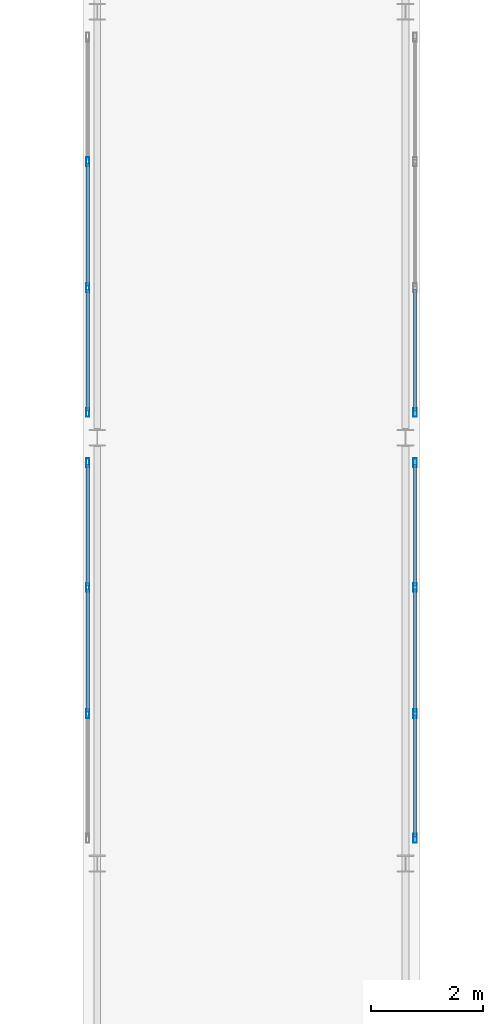
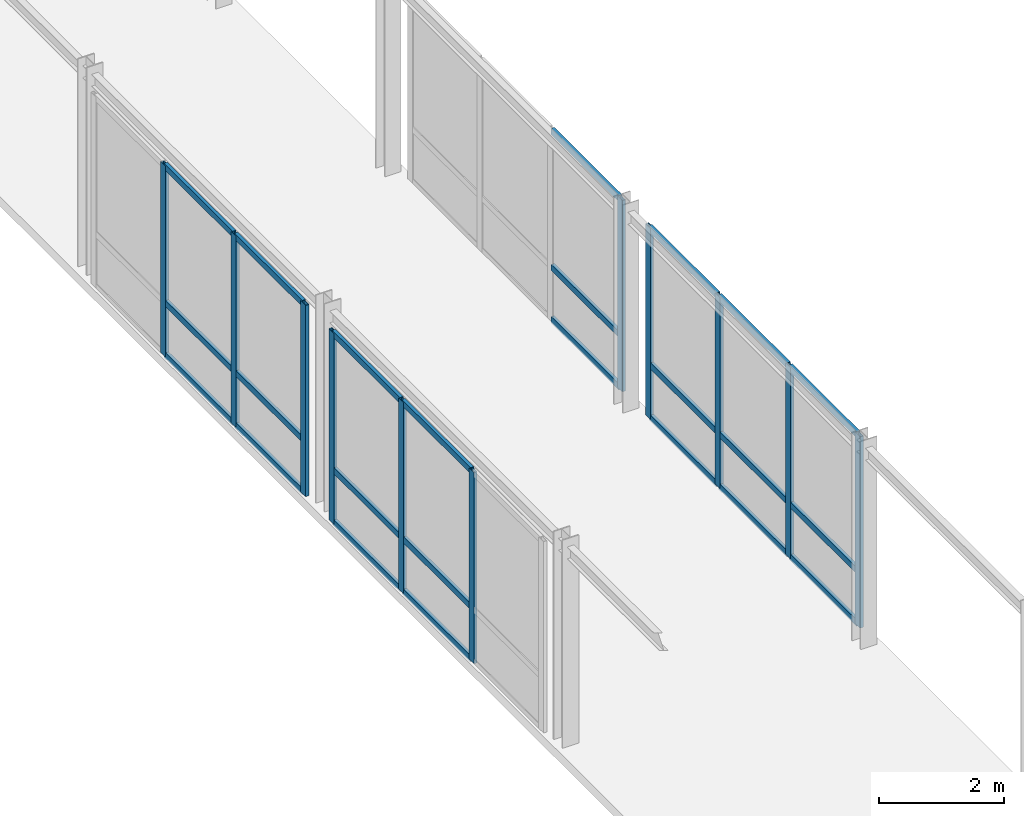
# One storey, part 108 of 165: 35 members, 4 elements without a shape of their own.
"""IFC4 building model written with IfcOpenShell, lengths in metres."""

from ifc_helpers import new_model, si_unit, direction, frame, origin, origin_2d, place, context, subcontext, project, spatial, hollow_rectangle, extrude, material, layer, layer_set, material_profile, profile_set, type_object, element, aggregate, save


model = new_model("IFC4")

# Units and contexts
model_context = context("Model", 3, precision=1e-05, world=origin(), true_north=direction((0.0, 1.0)))
body_context = subcontext(model_context, "Body", "Model", "MODEL_VIEW")
ifc_project = project(units=[si_unit("LENGTHUNIT", "METRE"), si_unit("AREAUNIT", "SQUARE_METRE"), si_unit("VOLUMEUNIT", "CUBIC_METRE"), si_unit("PLANEANGLEUNIT", "RADIAN"), si_unit("MASSUNIT", "GRAM", prefix="KILO")], contexts=[model_context])

# Site, building, storey
site_placement = place(None, origin())
site = spatial("IfcSite", under=ifc_project, at=site_placement, CompositionType="ELEMENT")
building_placement = place(site_placement, origin())
building = spatial("IfcBuilding", under=site, at=building_placement, Name="Montecoro Central Library", CompositionType="ELEMENT")
storey_placement = place(building_placement, frame((0.0, 0.0, 5.10009765625)))
storey = spatial("IfcBuildingStorey", under=building, at=storey_placement, Name="L01", CompositionType="ELEMENT", Elevation=5.10009765625)

# Curtain wall, members
ifc_material_1 = material(Name="Bronze-anodised aluminium and low-E glazing", Category="aluminium")
ifc_layer_1 = layer(ifc_material_1, 0.159912109375)
ifc_layer_set_1 = layer_set([ifc_layer_1], Name="Bronze-anodised aluminium and low-E glazing")
curtain_wall_type_1 = type_object("IfcCurtainWallType", Name="CWT-083", PredefinedType="NOTDEFINED", material=ifc_layer_set_1)
curtain_wall_1_placement = place(storey_placement, origin())
curtain_wall_1 = element("IfcCurtainWall", 1, at=curtain_wall_1_placement, inside=storey, type_object=curtain_wall_type_1, Name="BR-E-L01-CW-W1", PredefinedType="NOTDEFINED")
ifc_material_2 = material(Name="Bronze-anodised aluminium", Category="aluminium")
ifc_material_profile_1 = material_profile(ifc_material_2, hollow_rectangle(XDim=0.06005859375, YDim=0.159912109375, WallThickness=0.00390625, at=origin_2d()), Name="CWM 160x60x4.0")
ifc_profile_set_1 = profile_set([ifc_material_profile_1], Name="Bronze-anodised aluminium")
member_type_1 = type_object("IfcMemberType", Name="CWM-BRZ-60", PredefinedType="MULLION", material=ifc_profile_set_1)
member_1_placement = place(storey_placement, frame((154.080078125, 53.2734375, 0.0), z_axis=(0.0, 0.0, 1.0), x_axis=(-1.0, 0.0, 0.0)))
member_1 = element("IfcMember", 2, at=member_1_placement, type_object=member_type_1, Name="CW-083 mullion 2", PredefinedType="MULLION", context=body_context, shape_type="SweptSolid", body=[
    extrude(hollow_rectangle(XDim=0.06005859375, YDim=0.159912109375, WallThickness=0.00390625, at=origin_2d()), origin(), (0.0, 0.0, 1.0), 3.72998046875),
])
member_2_placement = place(storey_placement, frame((154.080078125, 55.526611328125, 0.0), z_axis=(0.0, 0.0, 1.0), x_axis=(-1.0, 0.0, 0.0)))
member_2 = element("IfcMember", 3, at=member_2_placement, type_object=member_type_1, Name="CW-083 mullion 3", PredefinedType="MULLION", context=body_context, shape_type="SweptSolid", body=[
    extrude(hollow_rectangle(XDim=0.06005859375, YDim=0.159912109375, WallThickness=0.00390625, at=origin_2d()), origin(), (0.0, 0.0, 1.0), 3.72998046875),
])
member_3_placement = place(storey_placement, frame((154.080078125, 57.75, 0.0), z_axis=(0.0, 0.0, 1.0), x_axis=(-1.0, 0.0, 0.0)))
member_3 = element("IfcMember", 4, at=member_3_placement, type_object=member_type_1, Name="CW-083 mullion 4", PredefinedType="MULLION", context=body_context, shape_type="SweptSolid", body=[
    extrude(hollow_rectangle(XDim=0.06005859375, YDim=0.159912109375, WallThickness=0.00390625, at=origin_2d()), origin(), (0.0, 0.0, 1.0), 3.72998046875),
])

ifc_layer_2 = layer(ifc_material_1, 0.159912109375)
ifc_layer_set_2 = layer_set([ifc_layer_2], Name="Bronze-anodised aluminium and low-E glazing")
curtain_wall_type_2 = type_object("IfcCurtainWallType", Name="CWT-084", PredefinedType="NOTDEFINED", material=ifc_layer_set_2)
curtain_wall_2_placement = place(storey_placement, origin())
curtain_wall_2 = element("IfcCurtainWall", 5, at=curtain_wall_2_placement, inside=storey, type_object=curtain_wall_type_2, Name="BR-E-L01-CW-W2", PredefinedType="NOTDEFINED")
member_4_placement = place(storey_placement, frame((154.080078125, 58.64990234375, 0.0), z_axis=(0.0, 0.0, 1.0), x_axis=(-1.0, 0.0, 0.0)))
member_4 = element("IfcMember", 6, at=member_4_placement, type_object=member_type_1, Name="CW-084 mullion 1", PredefinedType="MULLION", context=body_context, shape_type="SweptSolid", body=[
    extrude(hollow_rectangle(XDim=0.06005859375, YDim=0.159912109375, WallThickness=0.00390625, at=origin_2d()), origin(), (0.0, 0.0, 1.0), 3.72998046875),
])
member_5_placement = place(storey_placement, frame((154.080078125, 60.873291015625, 0.0), z_axis=(0.0, 0.0, 1.0), x_axis=(-1.0, 0.0, 0.0)))
member_5 = element("IfcMember", 7, at=member_5_placement, type_object=member_type_1, Name="CW-084 mullion 2", PredefinedType="MULLION", context=body_context, shape_type="SweptSolid", body=[
    extrude(hollow_rectangle(XDim=0.06005859375, YDim=0.159912109375, WallThickness=0.00390625, at=origin_2d()), origin(), (0.0, 0.0, 1.0), 3.72998046875),
])
member_6_placement = place(storey_placement, frame((154.080078125, 63.126708984375, 0.0), z_axis=(0.0, 0.0, 1.0), x_axis=(-1.0, 0.0, 0.0)))
member_6 = element("IfcMember", 8, at=member_6_placement, type_object=member_type_1, Name="CW-084 mullion 3", PredefinedType="MULLION", context=body_context, shape_type="SweptSolid", body=[
    extrude(hollow_rectangle(XDim=0.06005859375, YDim=0.159912109375, WallThickness=0.00390625, at=origin_2d()), origin(), (0.0, 0.0, 1.0), 3.72998046875),
])

curtain_wall_3_placement = place(storey_placement, origin())
curtain_wall_3 = element("IfcCurtainWall", 9, at=curtain_wall_3_placement, inside=storey, type_object=curtain_wall_type_1, Name="BR-E-L01-CW-E1", PredefinedType="NOTDEFINED")
member_7_placement = place(storey_placement, frame((159.919921875, 51.050048828125, 0.0), z_axis=(0.0, 0.0, 1.0), x_axis=(-1.0, 0.0, 0.0)))
member_7 = element("IfcMember", 10, at=member_7_placement, type_object=member_type_1, Name="CW-083 mullion 1", PredefinedType="MULLION", context=body_context, shape_type="SweptSolid", body=[
    extrude(hollow_rectangle(XDim=0.06005859375, YDim=0.159912109375, WallThickness=0.00390625, at=origin_2d()), origin(), (0.0, 0.0, 1.0), 3.72998046875),
])
member_8_placement = place(storey_placement, frame((159.919921875, 53.2734375, 0.0), z_axis=(0.0, 0.0, 1.0), x_axis=(-1.0, 0.0, 0.0)))
member_8 = element("IfcMember", 11, at=member_8_placement, type_object=member_type_1, Name="CW-083 mullion 2", PredefinedType="MULLION", context=body_context, shape_type="SweptSolid", body=[
    extrude(hollow_rectangle(XDim=0.06005859375, YDim=0.159912109375, WallThickness=0.00390625, at=origin_2d()), origin(), (0.0, 0.0, 1.0), 3.72998046875),
])
member_9_placement = place(storey_placement, frame((159.919921875, 55.526611328125, 0.0), z_axis=(0.0, 0.0, 1.0), x_axis=(-1.0, 0.0, 0.0)))
member_9 = element("IfcMember", 12, at=member_9_placement, type_object=member_type_1, Name="CW-083 mullion 3", PredefinedType="MULLION", context=body_context, shape_type="SweptSolid", body=[
    extrude(hollow_rectangle(XDim=0.06005859375, YDim=0.159912109375, WallThickness=0.00390625, at=origin_2d()), origin(), (0.0, 0.0, 1.0), 3.72998046875),
])
member_10_placement = place(storey_placement, frame((159.919921875, 57.75, 0.0), z_axis=(0.0, 0.0, 1.0), x_axis=(-1.0, 0.0, 0.0)))
member_10 = element("IfcMember", 13, at=member_10_placement, type_object=member_type_1, Name="CW-083 mullion 4", PredefinedType="MULLION", context=body_context, shape_type="SweptSolid", body=[
    extrude(hollow_rectangle(XDim=0.06005859375, YDim=0.159912109375, WallThickness=0.00390625, at=origin_2d()), origin(), (0.0, 0.0, 1.0), 3.72998046875),
])

# Curtain wall, member
curtain_wall_4_placement = place(storey_placement, origin())
curtain_wall_4 = element("IfcCurtainWall", 14, at=curtain_wall_4_placement, inside=storey, type_object=curtain_wall_type_2, Name="BR-E-L01-CW-E2", PredefinedType="NOTDEFINED")
member_11_placement = place(storey_placement, frame((159.919921875, 58.64990234375, 0.0), z_axis=(0.0, 0.0, 1.0), x_axis=(-1.0, 0.0, 0.0)))
member_11 = element("IfcMember", 15, at=member_11_placement, type_object=member_type_1, Name="CW-084 mullion 1", PredefinedType="MULLION", context=body_context, shape_type="SweptSolid", body=[
    extrude(hollow_rectangle(XDim=0.06005859375, YDim=0.159912109375, WallThickness=0.00390625, at=origin_2d()), origin(), (0.0, 0.0, 1.0), 3.72998046875),
])

# Member
ifc_material_profile_2 = material_profile(ifc_material_2, hollow_rectangle(XDim=0.06005859375, YDim=0.1201171875, WallThickness=0.00390625, at=origin_2d()), Name="CWT 120x60x4.0")
ifc_profile_set_2 = profile_set([ifc_material_profile_2], Name="Bronze-anodised aluminium")
member_type_2 = type_object("IfcMemberType", Name="CWT-BRZ-60", PredefinedType="USERDEFINED", material=ifc_profile_set_2)
member_12_placement = place(storey_placement, frame((154.080078125, 53.30322265625, 0.02978515625), z_axis=(0.0, 1.0, 0.0), x_axis=(-1.0, 0.0, 0.0)))
member_12 = element("IfcMember", 16, at=member_12_placement, type_object=member_type_2, Name="CW-083 transom 2.1", ObjectType="TRANSOM", PredefinedType="USERDEFINED", context=body_context, shape_type="SweptSolid", body=[
    extrude(hollow_rectangle(XDim=0.06005859375, YDim=0.1201171875, WallThickness=0.00390625, at=origin_2d()), origin(), (0.0, 0.0, 1.0), 2.193359375),
])

member_13_placement = place(storey_placement, frame((154.080078125, 53.30322265625, 1.0498046875), z_axis=(0.0, 1.0, 0.0), x_axis=(-1.0, 0.0, 0.0)))
member_13 = element("IfcMember", 17, at=member_13_placement, type_object=member_type_2, Name="CW-083 transom 2.2", ObjectType="TRANSOM", PredefinedType="USERDEFINED", context=body_context, shape_type="SweptSolid", body=[
    extrude(hollow_rectangle(XDim=0.06005859375, YDim=0.1201171875, WallThickness=0.00390625, at=origin_2d()), origin(), (0.0, 0.0, 1.0), 2.193359375),
])

member_14_placement = place(storey_placement, frame((154.080078125, 53.30322265625, 3.699951171875), z_axis=(0.0, 1.0, 0.0), x_axis=(-1.0, 0.0, 0.0)))
member_14 = element("IfcMember", 18, at=member_14_placement, type_object=member_type_2, Name="CW-083 transom 2.3", ObjectType="TRANSOM", PredefinedType="USERDEFINED", context=body_context, shape_type="SweptSolid", body=[
    extrude(hollow_rectangle(XDim=0.06005859375, YDim=0.1201171875, WallThickness=0.00390625, at=origin_2d()), origin(), (0.0, 0.0, 1.0), 2.193359375),
])

member_15_placement = place(storey_placement, frame((154.080078125, 55.556640625, 0.02978515625), z_axis=(0.0, 1.0, 0.0), x_axis=(-1.0, 0.0, 0.0)))
member_15 = element("IfcMember", 19, at=member_15_placement, type_object=member_type_2, Name="CW-083 transom 3.1", ObjectType="TRANSOM", PredefinedType="USERDEFINED", context=body_context, shape_type="SweptSolid", body=[
    extrude(hollow_rectangle(XDim=0.06005859375, YDim=0.1201171875, WallThickness=0.00390625, at=origin_2d()), origin(), (0.0, 0.0, 1.0), 2.163330078125),
])

member_16_placement = place(storey_placement, frame((154.080078125, 55.556640625, 1.0498046875), z_axis=(0.0, 1.0, 0.0), x_axis=(-1.0, 0.0, 0.0)))
member_16 = element("IfcMember", 20, at=member_16_placement, type_object=member_type_2, Name="CW-083 transom 3.2", ObjectType="TRANSOM", PredefinedType="USERDEFINED", context=body_context, shape_type="SweptSolid", body=[
    extrude(hollow_rectangle(XDim=0.06005859375, YDim=0.1201171875, WallThickness=0.00390625, at=origin_2d()), origin(), (0.0, 0.0, 1.0), 2.163330078125),
])

member_17_placement = place(storey_placement, frame((154.080078125, 55.556640625, 3.699951171875), z_axis=(0.0, 1.0, 0.0), x_axis=(-1.0, 0.0, 0.0)))
member_17 = element("IfcMember", 21, at=member_17_placement, type_object=member_type_2, Name="CW-083 transom 3.3", ObjectType="TRANSOM", PredefinedType="USERDEFINED", context=body_context, shape_type="SweptSolid", body=[
    extrude(hollow_rectangle(XDim=0.06005859375, YDim=0.1201171875, WallThickness=0.00390625, at=origin_2d()), origin(), (0.0, 0.0, 1.0), 2.163330078125),
])

aggregate(curtain_wall_1, [member_1, member_2, member_3, member_12, member_13, member_14, member_15, member_16, member_17])

member_18_placement = place(storey_placement, frame((154.080078125, 58.679931640625, 0.02978515625), z_axis=(0.0, 1.0, 0.0), x_axis=(-1.0, 0.0, 0.0)))
member_18 = element("IfcMember", 22, at=member_18_placement, type_object=member_type_2, Name="CW-084 transom 1.1", ObjectType="TRANSOM", PredefinedType="USERDEFINED", context=body_context, shape_type="SweptSolid", body=[
    extrude(hollow_rectangle(XDim=0.06005859375, YDim=0.1201171875, WallThickness=0.00390625, at=origin_2d()), origin(), (0.0, 0.0, 1.0), 2.163330078125),
])

member_19_placement = place(storey_placement, frame((154.080078125, 58.679931640625, 1.0498046875), z_axis=(0.0, 1.0, 0.0), x_axis=(-1.0, 0.0, 0.0)))
member_19 = element("IfcMember", 23, at=member_19_placement, type_object=member_type_2, Name="CW-084 transom 1.2", ObjectType="TRANSOM", PredefinedType="USERDEFINED", context=body_context, shape_type="SweptSolid", body=[
    extrude(hollow_rectangle(XDim=0.06005859375, YDim=0.1201171875, WallThickness=0.00390625, at=origin_2d()), origin(), (0.0, 0.0, 1.0), 2.163330078125),
])

member_20_placement = place(storey_placement, frame((154.080078125, 58.679931640625, 3.699951171875), z_axis=(0.0, 1.0, 0.0), x_axis=(-1.0, 0.0, 0.0)))
member_20 = element("IfcMember", 24, at=member_20_placement, type_object=member_type_2, Name="CW-084 transom 1.3", ObjectType="TRANSOM", PredefinedType="USERDEFINED", context=body_context, shape_type="SweptSolid", body=[
    extrude(hollow_rectangle(XDim=0.06005859375, YDim=0.1201171875, WallThickness=0.00390625, at=origin_2d()), origin(), (0.0, 0.0, 1.0), 2.163330078125),
])

member_21_placement = place(storey_placement, frame((154.080078125, 60.9033203125, 0.02978515625), z_axis=(0.0, 1.0, 0.0), x_axis=(-1.0, 0.0, 0.0)))
member_21 = element("IfcMember", 25, at=member_21_placement, type_object=member_type_2, Name="CW-084 transom 2.1", ObjectType="TRANSOM", PredefinedType="USERDEFINED", context=body_context, shape_type="SweptSolid", body=[
    extrude(hollow_rectangle(XDim=0.06005859375, YDim=0.1201171875, WallThickness=0.00390625, at=origin_2d()), origin(), (0.0, 0.0, 1.0), 2.193359375),
])

member_22_placement = place(storey_placement, frame((154.080078125, 60.9033203125, 1.0498046875), z_axis=(0.0, 1.0, 0.0), x_axis=(-1.0, 0.0, 0.0)))
member_22 = element("IfcMember", 26, at=member_22_placement, type_object=member_type_2, Name="CW-084 transom 2.2", ObjectType="TRANSOM", PredefinedType="USERDEFINED", context=body_context, shape_type="SweptSolid", body=[
    extrude(hollow_rectangle(XDim=0.06005859375, YDim=0.1201171875, WallThickness=0.00390625, at=origin_2d()), origin(), (0.0, 0.0, 1.0), 2.193359375),
])

member_23_placement = place(storey_placement, frame((154.080078125, 60.9033203125, 3.699951171875), z_axis=(0.0, 1.0, 0.0), x_axis=(-1.0, 0.0, 0.0)))
member_23 = element("IfcMember", 27, at=member_23_placement, type_object=member_type_2, Name="CW-084 transom 2.3", ObjectType="TRANSOM", PredefinedType="USERDEFINED", context=body_context, shape_type="SweptSolid", body=[
    extrude(hollow_rectangle(XDim=0.06005859375, YDim=0.1201171875, WallThickness=0.00390625, at=origin_2d()), origin(), (0.0, 0.0, 1.0), 2.193359375),
])

aggregate(curtain_wall_2, [member_4, member_5, member_6, member_18, member_19, member_20, member_21, member_22, member_23])

member_24_placement = place(storey_placement, frame((159.919921875, 51.080078125, 0.02978515625), z_axis=(0.0, 1.0, 0.0), x_axis=(-1.0, 0.0, 0.0)))
member_24 = element("IfcMember", 28, at=member_24_placement, type_object=member_type_2, Name="CW-083 transom 1.1", ObjectType="TRANSOM", PredefinedType="USERDEFINED", context=body_context, shape_type="SweptSolid", body=[
    extrude(hollow_rectangle(XDim=0.06005859375, YDim=0.1201171875, WallThickness=0.00390625, at=origin_2d()), origin(), (0.0, 0.0, 1.0), 2.163330078125),
])

member_25_placement = place(storey_placement, frame((159.919921875, 51.080078125, 1.0498046875), z_axis=(0.0, 1.0, 0.0), x_axis=(-1.0, 0.0, 0.0)))
member_25 = element("IfcMember", 29, at=member_25_placement, type_object=member_type_2, Name="CW-083 transom 1.2", ObjectType="TRANSOM", PredefinedType="USERDEFINED", context=body_context, shape_type="SweptSolid", body=[
    extrude(hollow_rectangle(XDim=0.06005859375, YDim=0.1201171875, WallThickness=0.00390625, at=origin_2d()), origin(), (0.0, 0.0, 1.0), 2.163330078125),
])

member_26_placement = place(storey_placement, frame((159.919921875, 51.080078125, 3.699951171875), z_axis=(0.0, 1.0, 0.0), x_axis=(-1.0, 0.0, 0.0)))
member_26 = element("IfcMember", 30, at=member_26_placement, type_object=member_type_2, Name="CW-083 transom 1.3", ObjectType="TRANSOM", PredefinedType="USERDEFINED", context=body_context, shape_type="SweptSolid", body=[
    extrude(hollow_rectangle(XDim=0.06005859375, YDim=0.1201171875, WallThickness=0.00390625, at=origin_2d()), origin(), (0.0, 0.0, 1.0), 2.163330078125),
])

member_27_placement = place(storey_placement, frame((159.919921875, 53.30322265625, 0.02978515625), z_axis=(0.0, 1.0, 0.0), x_axis=(-1.0, 0.0, 0.0)))
member_27 = element("IfcMember", 31, at=member_27_placement, type_object=member_type_2, Name="CW-083 transom 2.1", ObjectType="TRANSOM", PredefinedType="USERDEFINED", context=body_context, shape_type="SweptSolid", body=[
    extrude(hollow_rectangle(XDim=0.06005859375, YDim=0.1201171875, WallThickness=0.00390625, at=origin_2d()), origin(), (0.0, 0.0, 1.0), 2.193359375),
])

member_28_placement = place(storey_placement, frame((159.919921875, 53.30322265625, 1.0498046875), z_axis=(0.0, 1.0, 0.0), x_axis=(-1.0, 0.0, 0.0)))
member_28 = element("IfcMember", 32, at=member_28_placement, type_object=member_type_2, Name="CW-083 transom 2.2", ObjectType="TRANSOM", PredefinedType="USERDEFINED", context=body_context, shape_type="SweptSolid", body=[
    extrude(hollow_rectangle(XDim=0.06005859375, YDim=0.1201171875, WallThickness=0.00390625, at=origin_2d()), origin(), (0.0, 0.0, 1.0), 2.193359375),
])

member_29_placement = place(storey_placement, frame((159.919921875, 53.30322265625, 3.699951171875), z_axis=(0.0, 1.0, 0.0), x_axis=(-1.0, 0.0, 0.0)))
member_29 = element("IfcMember", 33, at=member_29_placement, type_object=member_type_2, Name="CW-083 transom 2.3", ObjectType="TRANSOM", PredefinedType="USERDEFINED", context=body_context, shape_type="SweptSolid", body=[
    extrude(hollow_rectangle(XDim=0.06005859375, YDim=0.1201171875, WallThickness=0.00390625, at=origin_2d()), origin(), (0.0, 0.0, 1.0), 2.193359375),
])

member_30_placement = place(storey_placement, frame((159.919921875, 55.556640625, 0.02978515625), z_axis=(0.0, 1.0, 0.0), x_axis=(-1.0, 0.0, 0.0)))
member_30 = element("IfcMember", 34, at=member_30_placement, type_object=member_type_2, Name="CW-083 transom 3.1", ObjectType="TRANSOM", PredefinedType="USERDEFINED", context=body_context, shape_type="SweptSolid", body=[
    extrude(hollow_rectangle(XDim=0.06005859375, YDim=0.1201171875, WallThickness=0.00390625, at=origin_2d()), origin(), (0.0, 0.0, 1.0), 2.163330078125),
])

member_31_placement = place(storey_placement, frame((159.919921875, 55.556640625, 1.0498046875), z_axis=(0.0, 1.0, 0.0), x_axis=(-1.0, 0.0, 0.0)))
member_31 = element("IfcMember", 35, at=member_31_placement, type_object=member_type_2, Name="CW-083 transom 3.2", ObjectType="TRANSOM", PredefinedType="USERDEFINED", context=body_context, shape_type="SweptSolid", body=[
    extrude(hollow_rectangle(XDim=0.06005859375, YDim=0.1201171875, WallThickness=0.00390625, at=origin_2d()), origin(), (0.0, 0.0, 1.0), 2.163330078125),
])

member_32_placement = place(storey_placement, frame((159.919921875, 55.556640625, 3.699951171875), z_axis=(0.0, 1.0, 0.0), x_axis=(-1.0, 0.0, 0.0)))
member_32 = element("IfcMember", 36, at=member_32_placement, type_object=member_type_2, Name="CW-083 transom 3.3", ObjectType="TRANSOM", PredefinedType="USERDEFINED", context=body_context, shape_type="SweptSolid", body=[
    extrude(hollow_rectangle(XDim=0.06005859375, YDim=0.1201171875, WallThickness=0.00390625, at=origin_2d()), origin(), (0.0, 0.0, 1.0), 2.163330078125),
])

aggregate(curtain_wall_3, [member_7, member_8, member_9, member_10, member_24, member_25, member_26, member_27, member_28, member_29, member_30, member_31, member_32])

member_33_placement = place(storey_placement, frame((159.919921875, 58.679931640625, 0.02978515625), z_axis=(0.0, 1.0, 0.0), x_axis=(-1.0, 0.0, 0.0)))
member_33 = element("IfcMember", 37, at=member_33_placement, type_object=member_type_2, Name="CW-084 transom 1.1", ObjectType="TRANSOM", PredefinedType="USERDEFINED", context=body_context, shape_type="SweptSolid", body=[
    extrude(hollow_rectangle(XDim=0.06005859375, YDim=0.1201171875, WallThickness=0.00390625, at=origin_2d()), origin(), (0.0, 0.0, 1.0), 2.163330078125),
])

member_34_placement = place(storey_placement, frame((159.919921875, 58.679931640625, 1.0498046875), z_axis=(0.0, 1.0, 0.0), x_axis=(-1.0, 0.0, 0.0)))
member_34 = element("IfcMember", 38, at=member_34_placement, type_object=member_type_2, Name="CW-084 transom 1.2", ObjectType="TRANSOM", PredefinedType="USERDEFINED", context=body_context, shape_type="SweptSolid", body=[
    extrude(hollow_rectangle(XDim=0.06005859375, YDim=0.1201171875, WallThickness=0.00390625, at=origin_2d()), origin(), (0.0, 0.0, 1.0), 2.163330078125),
])

member_35_placement = place(storey_placement, frame((159.919921875, 58.679931640625, 3.699951171875), z_axis=(0.0, 1.0, 0.0), x_axis=(-1.0, 0.0, 0.0)))
member_35 = element("IfcMember", 39, at=member_35_placement, type_object=member_type_2, Name="CW-084 transom 1.3", ObjectType="TRANSOM", PredefinedType="USERDEFINED", context=body_context, shape_type="SweptSolid", body=[
    extrude(hollow_rectangle(XDim=0.06005859375, YDim=0.1201171875, WallThickness=0.00390625, at=origin_2d()), origin(), (0.0, 0.0, 1.0), 2.163330078125),
])

aggregate(curtain_wall_4, [member_11, member_33, member_34, member_35])

save(model, "model.ifc")
